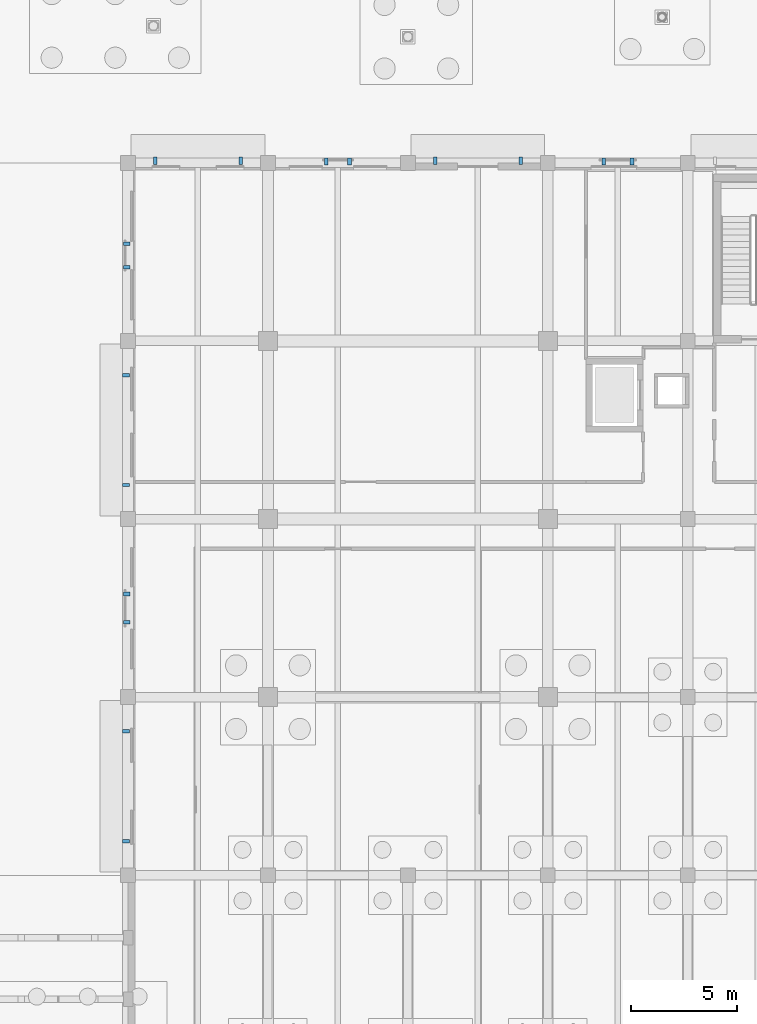
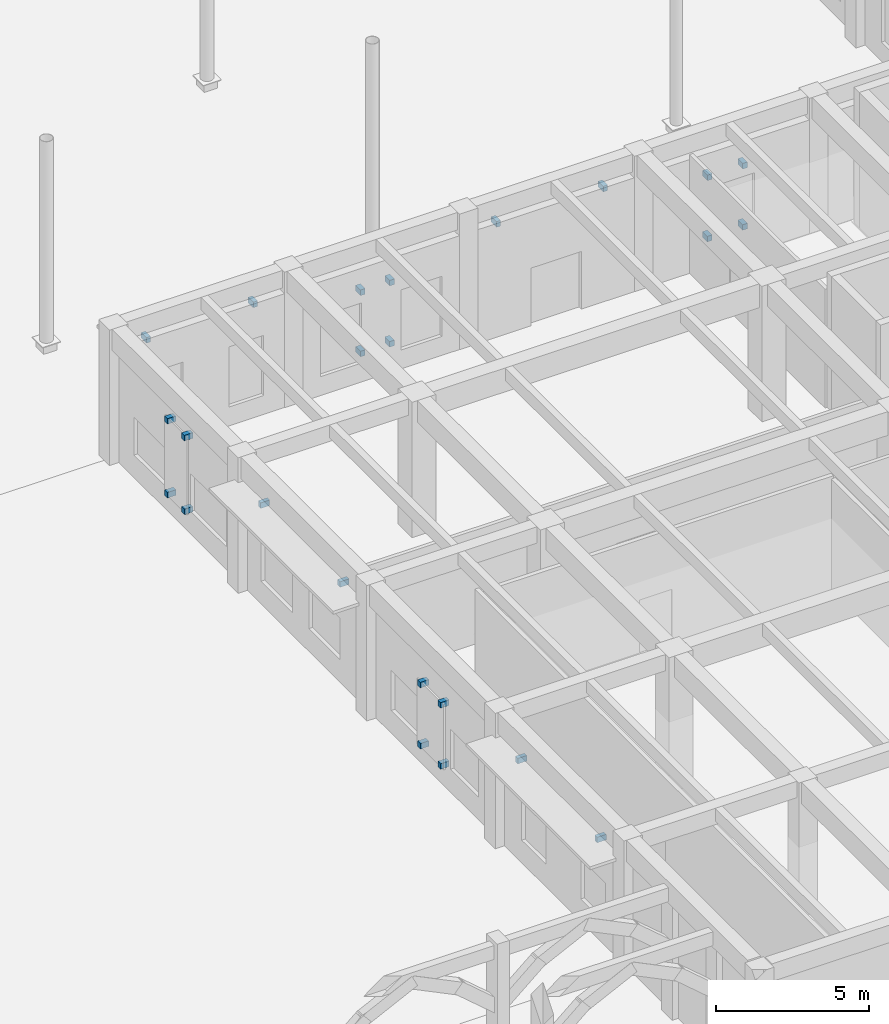
# One storey, part 67 of 82: 24 discrete accessories.
"""IFC4 building model written with IfcOpenShell, lengths in metres."""

from ifc_helpers import new_model, si_unit, direction, frame, origin, origin_2d, place, context, subcontext, project, spatial, rectangle, extrude, material, type_object, element, save


model = new_model("IFC4")

# Units and contexts
model_context = context("Model", 3, precision=1e-05, world=origin(), true_north=direction((0.0, 1.0)))
body_context = subcontext(model_context, "Body", "Model", "MODEL_VIEW")
ifc_project = project(units=[si_unit("LENGTHUNIT", "METRE"), si_unit("AREAUNIT", "SQUARE_METRE"), si_unit("VOLUMEUNIT", "CUBIC_METRE"), si_unit("PLANEANGLEUNIT", "RADIAN"), si_unit("MASSUNIT", "GRAM", prefix="KILO")], contexts=[model_context])

# Site, building, storey
site_placement = place(None, origin())
site = spatial("IfcSite", under=ifc_project, at=site_placement, CompositionType="ELEMENT")
building_placement = place(site_placement, origin())
building = spatial("IfcBuilding", under=site, at=building_placement, Name="Kolvaren Faculty of Natural Sciences", CompositionType="ELEMENT")
storey_placement = place(building_placement, origin())
storey = spatial("IfcBuildingStorey", under=building, at=storey_placement, Name="L00", CompositionType="ELEMENT", Elevation=0.0)

# Discrete accessories
ifc_material = material(Name="Structural steel EN 10025-2 S355J2", Category="steel")
discrete_accessory_type = type_object("IfcDiscreteAccessoryType", Name="FacadeSupportBracket_260", PredefinedType="BRACKET", material=ifc_material)
for number, where, z_axis, x_axis, name in (
    (1, (99.10009765625, 10.2080078125, 4.1650390625), (0.0, 0.0, 1.0), (0.0, 1.0, 0.0), "L00 chhajja hood steel bracket"),
    (2, (99.10009765625, 15.39208984375, 4.1650390625), (0.0, 0.0, 1.0), (0.0, 1.0, 0.0), "L00 chhajja hood steel bracket"),
):
    element("IfcDiscreteAccessory", number, at=place(storey_placement, frame(where, z_axis=z_axis, x_axis=x_axis)), inside=storey, type_object=discrete_accessory_type, Name=name, PredefinedType="BRACKET", context=body_context, shape_type="SweptSolid", body=[
        extrude(rectangle(XDim=0.159912109375, YDim=0.340087890625, at=origin_2d()), origin(), (0.0, 0.0, 1.0), 0.219970703125),
    ])
for number, where, z_axis, x_axis, name in (
    (3, (99.139892578125, 20.534912109375, 0.81982421875), (0.0, 0.0, 1.0), (0.0, 1.0, 0.0), "L00 jali screen wall bracket"),
    (4, (99.139892578125, 21.864990234375, 0.81982421875), (0.0, 0.0, 1.0), (0.0, 1.0, 0.0), "L00 jali screen wall bracket"),
    (5, (99.139892578125, 20.534912109375, 3.26025390625), (0.0, 0.0, 1.0), (0.0, 1.0, 0.0), "L00 jali screen wall bracket"),
    (6, (99.139892578125, 21.864990234375, 3.26025390625), (0.0, 0.0, 1.0), (0.0, 1.0, 0.0), "L00 jali screen wall bracket"),
):
    element("IfcDiscreteAccessory", number, at=place(storey_placement, frame(where, z_axis=z_axis, x_axis=x_axis)), inside=storey, type_object=discrete_accessory_type, Name=name, PredefinedType="BRACKET", context=body_context, shape_type="SweptSolid", body=[
        extrude(rectangle(XDim=0.179931640625, YDim=0.320068359375, at=origin_2d()), origin(), (0.0, 0.0, 1.0), 0.219970703125),
    ])
for number, where, z_axis, x_axis, name in (
    (7, (99.10009765625, 27.008056640625, 4.1650390625), (0.0, 0.0, 1.0), (0.0, 1.0, 0.0), "L00 chhajja hood steel bracket"),
    (8, (99.10009765625, 32.19189453125, 4.1650390625), (0.0, 0.0, 1.0), (0.0, 1.0, 0.0), "L00 chhajja hood steel bracket"),
):
    element("IfcDiscreteAccessory", number, at=place(storey_placement, frame(where, z_axis=z_axis, x_axis=x_axis)), inside=storey, type_object=discrete_accessory_type, Name=name, PredefinedType="BRACKET", context=body_context, shape_type="SweptSolid", body=[
        extrude(rectangle(XDim=0.159912109375, YDim=0.340087890625, at=origin_2d()), origin(), (0.0, 0.0, 1.0), 0.219970703125),
    ])
for number, where, z_axis, x_axis, name in (
    (9, (99.139892578125, 37.279052734375, 0.81982421875), (0.0, 0.0, 1.0), (0.0, 1.0, 0.0), "L00 jali screen wall bracket"),
    (10, (99.139892578125, 38.381103515625, 0.81982421875), (0.0, 0.0, 1.0), (0.0, 1.0, 0.0), "L00 jali screen wall bracket"),
    (11, (99.139892578125, 37.279052734375, 3.76025390625), (0.0, 0.0, 1.0), (0.0, 1.0, 0.0), "L00 jali screen wall bracket"),
    (12, (99.139892578125, 38.381103515625, 3.76025390625), (0.0, 0.0, 1.0), (0.0, 1.0, 0.0), "L00 jali screen wall bracket"),
):
    element("IfcDiscreteAccessory", number, at=place(storey_placement, frame(where, z_axis=z_axis, x_axis=x_axis)), inside=storey, type_object=discrete_accessory_type, Name=name, PredefinedType="BRACKET", context=body_context, shape_type="SweptSolid", body=[
        extrude(rectangle(XDim=0.179931640625, YDim=0.320068359375, at=origin_2d()), origin(), (0.0, 0.0, 1.0), 0.219970703125),
    ])
for number, where, z_axis, x_axis, name in (
    (13, (100.48388671875, 42.300048828125, 4.1650390625), (0.0, 0.0, 1.0), (1.0, 0.0, 0.0), "L00 chhajja hood steel bracket"),
    (14, (104.51611328125, 42.300048828125, 4.1650390625), (0.0, 0.0, 1.0), (1.0, 0.0, 0.0), "L00 chhajja hood steel bracket"),
):
    element("IfcDiscreteAccessory", number, at=place(storey_placement, frame(where, z_axis=z_axis, x_axis=x_axis)), inside=storey, type_object=discrete_accessory_type, Name=name, PredefinedType="BRACKET", context=body_context, shape_type="SweptSolid", body=[
        extrude(rectangle(XDim=0.159912109375, YDim=0.340087890625, at=origin_2d()), origin(), (0.0, 0.0, 1.0), 0.219970703125),
    ])
for number, where, z_axis, x_axis, name in (
    (15, (108.549072265625, 42.260009765625, 0.81982421875), (0.0, 0.0, 1.0), (1.0, 0.0, 0.0), "L00 jali screen wall bracket"),
    (16, (109.65087890625, 42.260009765625, 0.81982421875), (0.0, 0.0, 1.0), (1.0, 0.0, 0.0), "L00 jali screen wall bracket"),
    (17, (108.549072265625, 42.260009765625, 3.26025390625), (0.0, 0.0, 1.0), (1.0, 0.0, 0.0), "L00 jali screen wall bracket"),
    (18, (109.65087890625, 42.260009765625, 3.26025390625), (0.0, 0.0, 1.0), (1.0, 0.0, 0.0), "L00 jali screen wall bracket"),
):
    element("IfcDiscreteAccessory", number, at=place(storey_placement, frame(where, z_axis=z_axis, x_axis=x_axis)), inside=storey, type_object=discrete_accessory_type, Name=name, PredefinedType="BRACKET", context=body_context, shape_type="SweptSolid", body=[
        extrude(rectangle(XDim=0.179931640625, YDim=0.320068359375, at=origin_2d()), origin(), (0.0, 0.0, 1.0), 0.219970703125),
    ])
for number, where, z_axis, x_axis, name in (
    (19, (113.68408203125, 42.300048828125, 4.1650390625), (0.0, 0.0, 1.0), (1.0, 0.0, 0.0), "L00 chhajja hood steel bracket"),
    (20, (117.716064453125, 42.300048828125, 4.1650390625), (0.0, 0.0, 1.0), (1.0, 0.0, 0.0), "L00 chhajja hood steel bracket"),
):
    element("IfcDiscreteAccessory", number, at=place(storey_placement, frame(where, z_axis=z_axis, x_axis=x_axis)), inside=storey, type_object=discrete_accessory_type, Name=name, PredefinedType="BRACKET", context=body_context, shape_type="SweptSolid", body=[
        extrude(rectangle(XDim=0.159912109375, YDim=0.340087890625, at=origin_2d()), origin(), (0.0, 0.0, 1.0), 0.219970703125),
    ])
for number, where, z_axis, x_axis, name in (
    (21, (121.635009765625, 42.260009765625, 0.81982421875), (0.0, 0.0, 1.0), (1.0, 0.0, 0.0), "L00 jali screen wall bracket"),
    (22, (122.965087890625, 42.260009765625, 0.81982421875), (0.0, 0.0, 1.0), (1.0, 0.0, 0.0), "L00 jali screen wall bracket"),
    (23, (121.635009765625, 42.260009765625, 3.26025390625), (0.0, 0.0, 1.0), (1.0, 0.0, 0.0), "L00 jali screen wall bracket"),
    (24, (122.965087890625, 42.260009765625, 3.26025390625), (0.0, 0.0, 1.0), (1.0, 0.0, 0.0), "L00 jali screen wall bracket"),
):
    element("IfcDiscreteAccessory", number, at=place(storey_placement, frame(where, z_axis=z_axis, x_axis=x_axis)), inside=storey, type_object=discrete_accessory_type, Name=name, PredefinedType="BRACKET", context=body_context, shape_type="SweptSolid", body=[
        extrude(rectangle(XDim=0.179931640625, YDim=0.320068359375, at=origin_2d()), origin(), (0.0, 0.0, 1.0), 0.219970703125),
    ])

save(model, "model.ifc")
